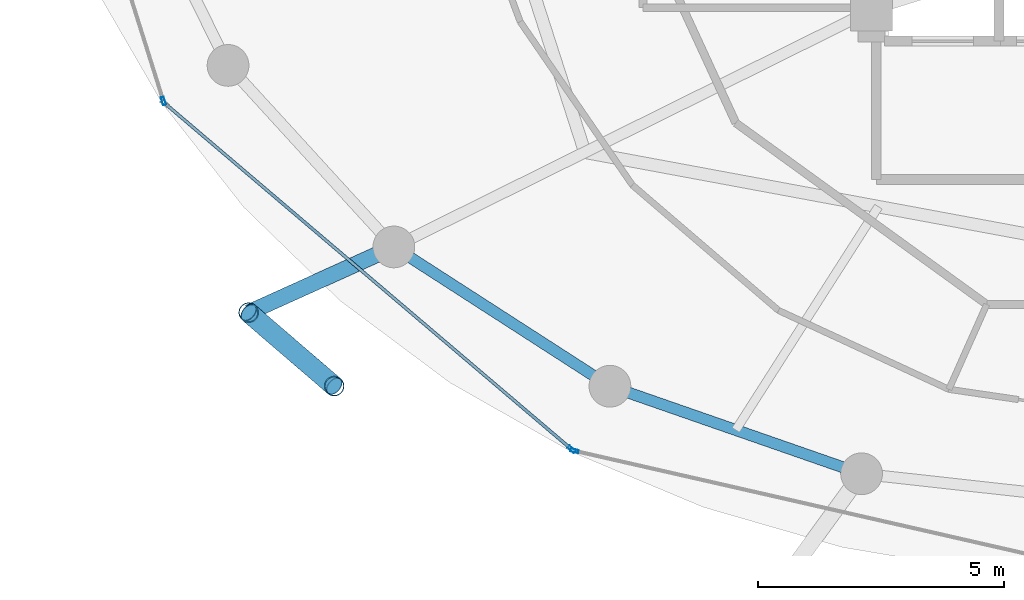
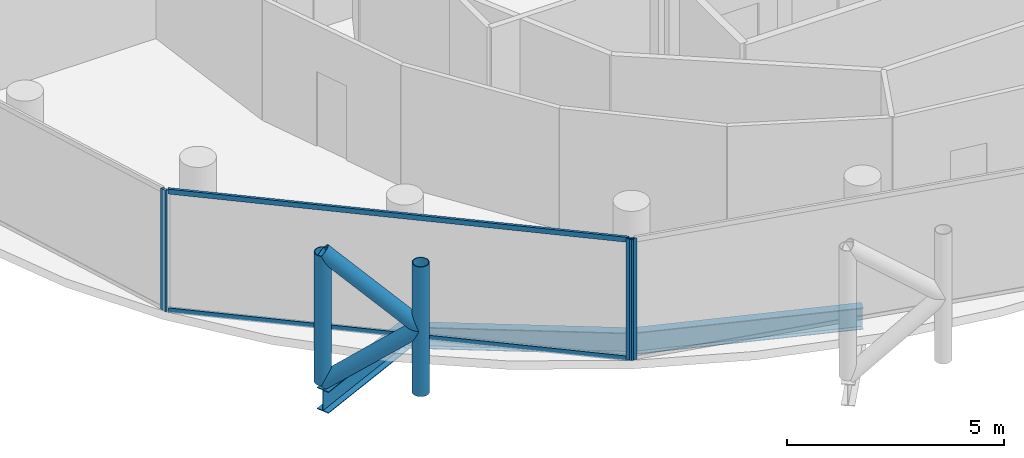
# One storey, part 2 of 27: 9 members, 3 beams, 3 elements without a shape of their own.
"""IFC4 building model written with IfcOpenShell, lengths in metres."""

from ifc_helpers import new_model, si_unit, direction, frame, origin, origin_2d, place, context, subcontext, project, spatial, hollow_rectangle, hollow_circle, i_section, extrude, material, layer, layer_set, material_profile, profile_set, type_object, element, aggregate, save


model = new_model("IFC4")

# Units and contexts
model_context = context("Model", 3, precision=1e-05, world=origin(), true_north=direction((0.0, 1.0)))
body_context = subcontext(model_context, "Body", "Model", "MODEL_VIEW")
ifc_project = project(units=[si_unit("LENGTHUNIT", "METRE"), si_unit("AREAUNIT", "SQUARE_METRE"), si_unit("VOLUMEUNIT", "CUBIC_METRE"), si_unit("PLANEANGLEUNIT", "RADIAN"), si_unit("MASSUNIT", "GRAM", prefix="KILO")], contexts=[model_context])

# Site, building, storey
site_placement = place(None, origin())
site = spatial("IfcSite", under=ifc_project, at=site_placement, CompositionType="ELEMENT")
building_placement = place(site_placement, origin())
building = spatial("IfcBuilding", under=site, at=building_placement, Name="Nuhasar Tower", CompositionType="ELEMENT")
storey_placement = place(building_placement, frame((0.0, 0.0, 226.39990234375)))
storey = spatial("IfcBuildingStorey", under=building, at=storey_placement, Name="L55", CompositionType="ELEMENT", Elevation=226.39990234375)

# Beams
ifc_material_1 = material(Name="Steel S355", Category="steel")
ifc_material_profile_1 = material_profile(ifc_material_1, i_section(OverallWidth=0.22802734375, OverallDepth=0.60791015625, WebThickness=0.01123046875, FlangeThickness=0.017333984375, at=origin_2d()), Name="W24X76")
ifc_profile_set_1 = profile_set([ifc_material_profile_1], Name="Steel S355")
beam_type_1 = type_object("IfcBeamType", Name="BM-RING-W24X76", PredefinedType="SPANDREL", material=ifc_profile_set_1)
beam_1_placement = place(storey_placement, frame((23.97412109375, 14.177978515625, -0.5439453125), z_axis=(0.840502144969, -0.541808217272, 0.0), x_axis=(0.541808217272, 0.840502144969, 0.0)))
element("IfcBeam", 1, at=beam_1_placement, inside=storey, type_object=beam_type_1, Name="L55 Perimeter Ring Spandrel 16", PredefinedType="SPANDREL", context=body_context, shape_type="SweptSolid", body=[
    extrude(i_section(OverallWidth=0.22802734375, OverallDepth=0.60791015625, WebThickness=0.01123046875, FlangeThickness=0.017333984375, at=origin_2d()), origin(), (0.0, 0.0, 1.0), 5.236083984375),
])
beam_2_placement = place(storey_placement, frame((28.375, 11.341064453125, -0.5439453125), z_axis=(0.944476764686, -0.328578211342, 0.0), x_axis=(0.328578211342, 0.944476764686, 0.0)))
element("IfcBeam", 2, at=beam_2_placement, inside=storey, type_object=beam_type_1, Name="L55 Perimeter Ring Spandrel 17", PredefinedType="SPANDREL", context=body_context, shape_type="SweptSolid", body=[
    extrude(i_section(OverallWidth=0.22802734375, OverallDepth=0.60791015625, WebThickness=0.01123046875, FlangeThickness=0.017333984375, at=origin_2d()), origin(), (0.0, 0.0, 1.0), 5.42626953125),
])
ifc_material_profile_2 = material_profile(ifc_material_1, i_section(OverallWidth=0.323974609375, OverallDepth=0.611083984375, WebThickness=0.0126953125, FlangeThickness=0.01904296875, at=origin_2d()), Name="W24X104")
ifc_profile_set_2 = profile_set([ifc_material_profile_2], Name="Steel S355")
beam_type_2 = type_object("IfcBeamType", Name="BM-TIE-W24X104", PredefinedType="BEAM", material=ifc_profile_set_2)
beam_3_placement = place(storey_placement, frame((23.97412109375, 14.177978515625, -0.544921875), z_axis=(-0.911363318082, -0.411602845538, 0.0), x_axis=(0.411602845538, -0.911363318082, 0.0)))
element("IfcBeam", 3, at=beam_3_placement, inside=storey, type_object=beam_type_2, Name="L55 Exoskeleton Node Tie Beam 08", PredefinedType="BEAM", context=body_context, shape_type="SweptSolid", body=[
    extrude(i_section(OverallWidth=0.323974609375, OverallDepth=0.611083984375, WebThickness=0.0126953125, FlangeThickness=0.01904296875, at=origin_2d()), origin(), (0.0, 0.0, 1.0), 3.24560546875),
])

# Curtain wall, member
ifc_material_2 = material(Name="Aluminium 6063-T6", Category="aluminium")
ifc_layer = layer(ifc_material_2, 0.18994140625)
ifc_layer_set = layer_set([ifc_layer], Name="Aluminium 6063-T6")
curtain_wall_type = type_object("IfcCurtainWallType", Name="CW-Z3-RES", PredefinedType="NOTDEFINED", material=ifc_layer_set)
curtain_wall_1_placement = place(storey_placement, origin())
curtain_wall_1 = element("IfcCurtainWall", 4, at=curtain_wall_1_placement, inside=storey, type_object=curtain_wall_type, Name="L55 Unitised Curtain Wall 07", PredefinedType="NOTDEFINED")
ifc_material_profile_3 = material_profile(ifc_material_2, hollow_rectangle(XDim=0.06494140625, YDim=0.169921875, WallThickness=0.0048828125, at=origin_2d()), Name="CWM-4")
ifc_profile_set_3 = profile_set([ifc_material_profile_3], Name="Aluminium 6063-T6")
member_type_1 = type_object("IfcMemberType", Name="CW-MUL-S4", PredefinedType="MULLION", material=ifc_profile_set_3)
member_1_placement = place(storey_placement, frame((19.279296875, 17.15087890625, 0.0), z_axis=(0.0, 0.0, 1.0), x_axis=(0.95380429279, 0.30042864553, 0.0)))
member_1 = element("IfcMember", 5, at=member_1_placement, type_object=member_type_1, Name="CW-Z3 mullion 2", PredefinedType="MULLION", context=body_context, shape_type="SweptSolid", body=[
    extrude(hollow_rectangle(XDim=0.06494140625, YDim=0.169921875, WallThickness=0.0048828125, at=origin_2d()), origin(), (0.0, 0.0, 1.0), 3.41015625),
])
aggregate(curtain_wall_1, [member_1])

curtain_wall_2_placement = place(storey_placement, origin())
curtain_wall_2 = element("IfcCurtainWall", 6, at=curtain_wall_2_placement, inside=storey, type_object=curtain_wall_type, Name="L55 Unitised Curtain Wall 08", PredefinedType="NOTDEFINED")
member_2_placement = place(storey_placement, frame((27.59521484375, 10.05517578125, 0.0), z_axis=(0.0, 0.0, 1.0), x_axis=(0.64789521578, 0.761729472562, 0.0)))
member_2 = element("IfcMember", 7, at=member_2_placement, type_object=member_type_1, Name="CW-Z3 mullion 2", PredefinedType="MULLION", context=body_context, shape_type="SweptSolid", body=[
    extrude(hollow_rectangle(XDim=0.06494140625, YDim=0.169921875, WallThickness=0.0048828125, at=origin_2d()), origin(), (0.0, 0.0, 1.0), 3.41015625),
])

curtain_wall_3_placement = place(storey_placement, origin())
curtain_wall_3 = element("IfcCurtainWall", 8, at=curtain_wall_3_placement, inside=storey, type_object=curtain_wall_type, Name="L55 Unitised Curtain Wall 09", PredefinedType="NOTDEFINED")
member_3_placement = place(storey_placement, frame((27.651611328125, 10.02685546875, 0.0), z_axis=(0.0, 0.0, 1.0), x_axis=(0.222243176313, 0.974991266926, 0.0)))
member_3 = element("IfcMember", 9, at=member_3_placement, type_object=member_type_1, Name="CW-Z3 mullion 1", PredefinedType="MULLION", context=body_context, shape_type="SweptSolid", body=[
    extrude(hollow_rectangle(XDim=0.06494140625, YDim=0.169921875, WallThickness=0.0048828125, at=origin_2d()), origin(), (0.0, 0.0, 1.0), 3.41015625),
])
aggregate(curtain_wall_3, [member_3])

# Member
ifc_material_profile_4 = material_profile(ifc_material_2, hollow_rectangle(XDim=0.06494140625, YDim=0.139892578125, WallThickness=0.00439453125, at=origin_2d()), Name="CWT-4")
ifc_profile_set_4 = profile_set([ifc_material_profile_4], Name="Aluminium 6063-T6")
member_type_2 = type_object("IfcMemberType", Name="CW-TRN-S4", PredefinedType="USERDEFINED", material=ifc_profile_set_4)
member_4_placement = place(storey_placement, frame((19.338623046875, 17.077880859375, 0.03271484375), z_axis=(0.761730809511, -0.647893643928, 0.0), x_axis=(0.647893643928, 0.761730809511, 0.0)))
member_4 = element("IfcMember", 10, at=member_4_placement, type_object=member_type_2, Name="CW-Z3 transom 1.1", ObjectType="TRANSOM", PredefinedType="USERDEFINED", context=body_context, shape_type="SweptSolid", body=[
    extrude(hollow_rectangle(XDim=0.06494140625, YDim=0.139892578125, WallThickness=0.00439453125, at=origin_2d()), origin(), (0.0, 0.0, 1.0), 10.806884765625),
])

member_5_placement = place(storey_placement, frame((19.338623046875, 17.077880859375, 3.377685546875), z_axis=(0.761730809511, -0.647893643928, 0.0), x_axis=(0.647893643928, 0.761730809511, 0.0)))
member_5 = element("IfcMember", 11, at=member_5_placement, type_object=member_type_2, Name="CW-Z3 transom 1.2", ObjectType="TRANSOM", PredefinedType="USERDEFINED", context=body_context, shape_type="SweptSolid", body=[
    extrude(hollow_rectangle(XDim=0.06494140625, YDim=0.139892578125, WallThickness=0.00439453125, at=origin_2d()), origin(), (0.0, 0.0, 1.0), 10.806884765625),
])

aggregate(curtain_wall_2, [member_2, member_4, member_5])

# Members
ifc_material_3 = material(Name="Steel S460", Category="steel")
ifc_material_profile_5 = material_profile(ifc_material_3, hollow_circle(Radius=0.203125, WallThickness=0.01904296875, at=origin_2d()), Name="HSS406.4X19.1")
ifc_profile_set_5 = profile_set([ifc_material_profile_5], Name="Steel S460")
member_type_3 = type_object("IfcMemberType", Name="EXO-BRONZE-406", PredefinedType="BRACE", material=ifc_profile_set_5)
for number, where, z_axis, x_axis, name in (
    (12, (21.01611328125, 12.842041015625, 0.0), (0.0, 0.0, 1.0), (1.0, 0.0, 0.0), "L55 Exoskeleton Chord Column EC-08A"),
    (13, (22.760009765625, 11.343017578125, 0.0), (0.0, 0.0, 1.0), (1.0, 0.0, 0.0), "L55 Exoskeleton Chord Column EC-08B"),
):
    element("IfcMember", number, at=place(storey_placement, frame(where, z_axis=z_axis, x_axis=x_axis)), inside=storey, type_object=member_type_3, Name=name, PredefinedType="BRACE", context=body_context, shape_type="SweptSolid", body=[
        extrude(hollow_circle(Radius=0.203125, WallThickness=0.01904296875, at=origin_2d()), origin(), (0.0, 0.0, 1.0), 3.650146484375),
    ])
for number, where, z_axis, x_axis, name in (
    (14, (21.01611328125, 12.842041015625, 0.0), (0.593987827832, -0.51058172517, 0.621678986543), (0.65185738425, 0.758341579104, 0.0), "L55 Bronze Diagrid Brace W1-08"),
    (15, (22.760009765625, 11.343017578125, 1.8251953125), (-0.594018535389, 0.510608120858, 0.621627964725), (-0.65185738425, -0.758341579104, 0.0), "L55 Bronze Diagrid Brace W2-08"),
):
    element("IfcMember", number, at=place(storey_placement, frame(where, z_axis=z_axis, x_axis=x_axis)), inside=storey, type_object=member_type_3, Name=name, PredefinedType="BRACE", context=body_context, shape_type="SweptSolid", body=[
        extrude(hollow_circle(Radius=0.203125, WallThickness=0.01904296875, at=origin_2d()), origin(), (0.0, 0.0, 1.0), 2.935791015625),
    ])

save(model, "model.ifc")
